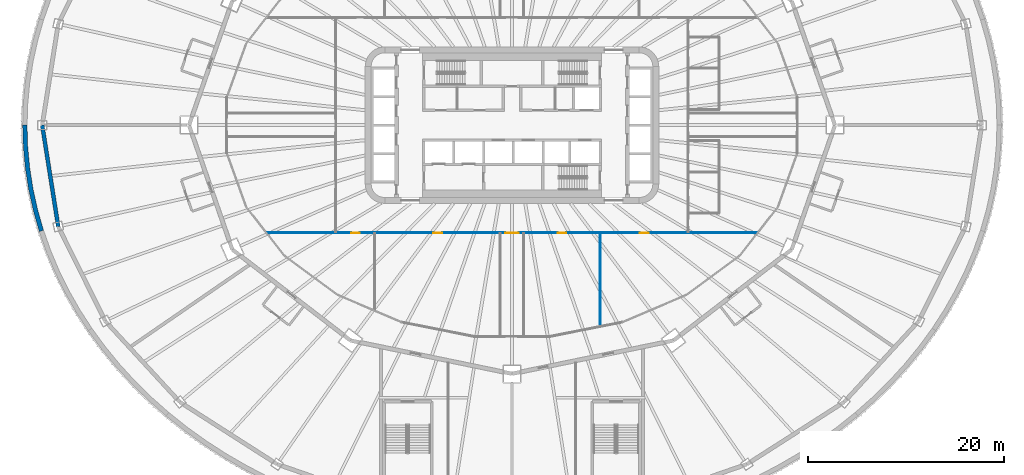
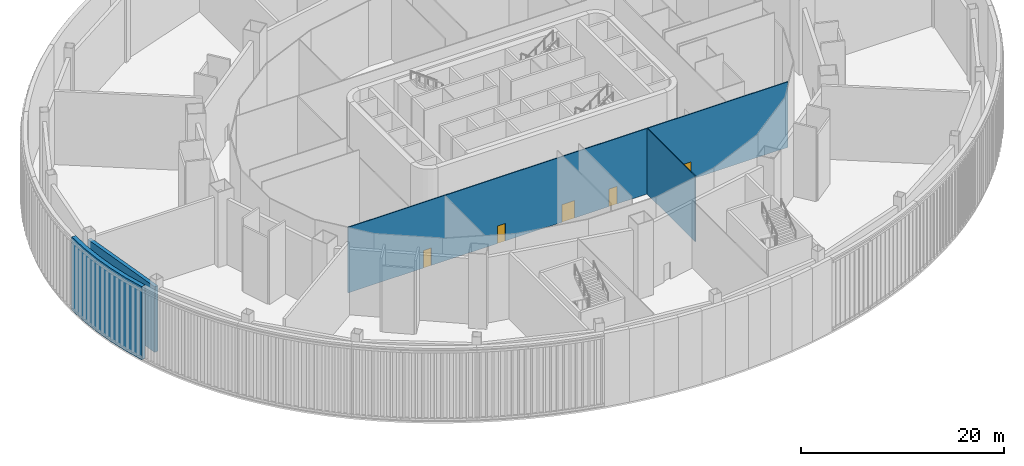
# One storey, part 7 of 35: 5 doors, 4 walls, 5 openings.
"""IFC4 building model written with IfcOpenShell, lengths in metres."""

import ifcopenshell
import ifcopenshell.guid

model = None  # the IFC model being written
_history = None  # IfcOwnerHistory: only IFC2X3 demands one
_inside = {}  # id of a spatial element -> (the spatial element, [elements in it])
_under = {}  # id of a project, library or spatial element -> (it, [spatial elements below it])
_declared = {}  # id of a project -> (the project, [libraries it declares])
_typed = {}  # id of a type object -> (the type object, [elements of that type])
_made_of = {}  # id of a material, layer set ... -> (it, [elements and type objects made of it])


def new_model(schema):
    """Start an empty IFC model of exactly this schema.

    Asked for "IFC4X3", IfcOpenShell would pick the latest addendum, in which some entities
    have other attributes; the version numbers below select the first issue.
    IFC2X3 requires an IfcOwnerHistory on every rooted entity: one is made here for all.
    """
    global model, _history
    if schema == "IFC4X3":
        model = ifcopenshell.file(schema_version=(4, 3, 0, 0))
    else:
        model = ifcopenshell.file(schema=schema)
    _inside.clear()
    _under.clear()
    _declared.clear()
    _typed.clear()
    _made_of.clear()
    _history = None
    if model.schema == "IFC2X3":
        org = make("IfcOrganization", Name="unknown")
        user = make(
            "IfcPersonAndOrganization",
            ThePerson=make("IfcPerson", FamilyName="unknown"),
            TheOrganization=org,
        )
        app = make(
            "IfcApplication",
            ApplicationDeveloper=org,
            Version="unknown",
            ApplicationFullName="unknown",
            ApplicationIdentifier="unknown",
        )
        _history = make(
            "IfcOwnerHistory",
            OwningUser=user,
            OwningApplication=app,
            ChangeAction="ADDED",
            CreationDate=0,
        )
    return model


def make(cls, **values):
    """One entity of the class cls with the attributes given. An attribute that is None is left unset."""
    return model.create_entity(
        cls, **{name: value for name, value in values.items() if value is not None}
    )


def rooted(cls, **values):
    """An entity with a GlobalId (a new one), such as an element, a storey or a relation."""
    return make(cls, GlobalId=ifcopenshell.guid.new(), OwnerHistory=_history, **values)


def si_unit(unit_type, name, prefix=None):
    """IfcSIUnit, for example si_unit("LENGTHUNIT", "METRE", prefix="MILLI")."""
    return make("IfcSIUnit", UnitType=unit_type, Prefix=prefix, Name=name)


def assignment(units):
    """IfcUnitAssignment: the units of a project."""
    return None if units is None else make("IfcUnitAssignment", Units=units)


def point(xyz):
    """IfcCartesianPoint."""
    return None if xyz is None else make("IfcCartesianPoint", Coordinates=xyz)


def direction(xyz):
    """IfcDirection."""
    return None if xyz is None else make("IfcDirection", DirectionRatios=xyz)


def frame(location, z_axis=None, x_axis=None):
    """IfcAxis2Placement3D, a coordinate frame: its origin and axes. An axis left out is left unset."""
    return make(
        "IfcAxis2Placement3D",
        Location=point(location),
        Axis=direction(z_axis),
        RefDirection=direction(x_axis),
    )


def frame_2d(location, x_axis=None):
    """IfcAxis2Placement2D, a coordinate frame in the plane: its origin and x axis."""
    return make(
        "IfcAxis2Placement2D", Location=point(location), RefDirection=direction(x_axis)
    )


def origin():
    """The frame at (0, 0, 0) with its axes left unset."""
    return frame((0.0, 0.0, 0.0))


def place(relative_to, where):
    """IfcLocalPlacement: puts the frame where relative to a parent placement (None: the world)."""
    return make(
        "IfcLocalPlacement", PlacementRelTo=relative_to, RelativePlacement=where
    )


def context(
    kind, dimensions, precision=None, world=None, true_north=None, identifier=None
):
    """IfcGeometricRepresentationContext, for example the 3D "Model" context."""
    return make(
        "IfcGeometricRepresentationContext",
        ContextIdentifier=identifier,
        ContextType=kind,
        CoordinateSpaceDimension=dimensions,
        Precision=precision,
        WorldCoordinateSystem=world,
        TrueNorth=true_north,
    )


def subcontext(parent, identifier, kind, view, scale=None):
    """IfcGeometricRepresentationSubContext, for example "Body" below "Model"."""
    return make(
        "IfcGeometricRepresentationSubContext",
        ContextIdentifier=identifier,
        ContextType=kind,
        ParentContext=parent,
        TargetScale=scale,
        TargetView=view,
    )


def project(units=None, contexts=None):
    """IfcProject with its units and contexts."""
    return rooted(
        "IfcProject",
        Name="project",
        RepresentationContexts=contexts,
        UnitsInContext=assignment(units),
    )


def spatial(cls, under=None, at=None, **own):
    """A site, building, storey or space (cls), placed at a placement, below another one or the project."""
    s = rooted(cls, ObjectPlacement=at, **own)
    if under is not None:
        _under.setdefault(under.id(), (under, []))[1].append(s)
    return s


def polyline(points):
    """IfcPolyline through the points."""
    return make("IfcPolyline", Points=[point(p) for p in points])


def profile(cls, at=None, kind="AREA", **sizes):
    """A parametric profile (cls). Its sizes go by their IFC names, for example OverallWidth=200.0."""
    return make(cls, ProfileType=kind, Position=at, **sizes)


def rectangle(**sizes):
    """IfcRectangleProfileDef."""
    return profile("IfcRectangleProfileDef", **sizes)


def outline(outer, holes=None, kind="AREA"):
    """IfcArbitraryClosedProfileDef: a profile drawn as a closed curve; with holes, ...WithVoids."""
    if holes is None:
        return make("IfcArbitraryClosedProfileDef", ProfileType=kind, OuterCurve=outer)
    return make(
        "IfcArbitraryProfileDefWithVoids",
        ProfileType=kind,
        OuterCurve=outer,
        InnerCurves=holes,
    )


def extrude(swept, where, along, depth):
    """IfcExtrudedAreaSolid: the profile swept, set in the frame where, extruded along a direction by depth."""
    return make(
        "IfcExtrudedAreaSolid",
        SweptArea=swept,
        Position=where,
        ExtrudedDirection=direction(along),
        Depth=depth,
    )


def shape(context_of_items, identifier, shape_type, items):
    """IfcShapeRepresentation: the items that make up one representation, for example the "Body"."""
    return make(
        "IfcShapeRepresentation",
        ContextOfItems=context_of_items,
        RepresentationIdentifier=identifier,
        RepresentationType=shape_type,
        Items=items,
    )


def material(Name=None, Category=None):
    """IfcMaterial."""
    return make("IfcMaterial", Name=Name, Category=Category)


def layer(
    of_material, thickness, ventilated=None, Name=None, Category=None, Priority=None
):
    """IfcMaterialLayer: one layer of a wall or slab, of a material (None: an air gap)."""
    return make(
        "IfcMaterialLayer",
        Material=of_material,
        LayerThickness=thickness,
        IsVentilated=ventilated,
        Name=Name,
        Category=Category,
        Priority=Priority,
    )


def layer_set(layers, Name=None):
    """IfcMaterialLayerSet."""
    return make("IfcMaterialLayerSet", MaterialLayers=layers, LayerSetName=Name)


def made_of(thing, what):
    """Note that an element or type object is made of a material, layer set ...; save() writes the relation."""
    if what is not None:
        _made_of.setdefault(what.id(), (what, []))[1].append(thing)
    return thing


def type_object(cls, material=None, **own):
    """A type object (cls), such as IfcWallType, which elements share."""
    return made_of(rooted(cls, **own), material)


def element(
    cls,
    number,
    at=None,
    inside=None,
    cuts=None,
    type_object=None,
    material=None,
    context=None,
    identifier="Body",
    shape_type=None,
    held_by="IfcProductDefinitionShape",
    body=None,
    shapes=None,
    **own,
):
    """One element of the class cls, such as IfcWall. Its Tag is "e" and its number.

    at: its placement. inside: the storey or other place that contains it. cuts: it is an
    opening in that element (IfcRelVoidsElement). A single representation is given by context,
    identifier, shape_type and body (its items); several are given by shapes. held_by: the class
    of the entity that holds the representations. save() writes the other relations.
    """
    e = rooted(cls, Tag="e%d" % number, ObjectPlacement=at, **own)
    if body is not None:
        shapes = [shape(context, identifier, shape_type, body)]
    if shapes is not None:
        e.Representation = make(held_by, Representations=shapes)
    if inside is not None:
        _inside.setdefault(inside.id(), (inside, []))[1].append(e)
    if cuts is not None:
        rooted(
            "IfcRelVoidsElement", RelatingBuildingElement=cuts, RelatedOpeningElement=e
        )
    if type_object is not None:
        _typed.setdefault(type_object.id(), (type_object, []))[1].append(e)
    return made_of(e, material)


def fill(opening, filler):
    """IfcRelFillsElement: the door or window that sits in an opening."""
    return rooted(
        "IfcRelFillsElement",
        RelatingOpeningElement=opening,
        RelatedBuildingElement=filler,
    )


def aggregate(whole, parts):
    """IfcRelAggregates: a whole, such as a stair, and the parts it consists of."""
    return rooted("IfcRelAggregates", RelatingObject=whole, RelatedObjects=parts)


def save(model, path):
    """Write the relations noted so far, then the file.

    IfcRelAggregates (storeys below a building ...), IfcRelContainedInSpatialStructure (elements
    in a storey), IfcRelDefinesByType, IfcRelAssociatesMaterial and IfcRelDeclares: one each for
    every whole, place, type object, material and project.
    """
    for whole, parts in _under.values():
        aggregate(whole, parts)
    for where, things in _inside.values():
        rooted(
            "IfcRelContainedInSpatialStructure",
            RelatedElements=things,
            RelatingStructure=where,
        )
    for kind, things in _typed.values():
        rooted("IfcRelDefinesByType", RelatedObjects=things, RelatingType=kind)
    for what, things in _made_of.values():
        rooted("IfcRelAssociatesMaterial", RelatedObjects=things, RelatingMaterial=what)
    for by, libraries in _declared.values():
        rooted("IfcRelDeclares", RelatingContext=by, RelatedDefinitions=libraries)
    model.write(path)


model = new_model("IFC4")

# Units and contexts
model_context = context("Model", 3, precision=1e-05, world=origin(), true_north=direction((0.0, 1.0)))
body_context = subcontext(model_context, "Body", "Model", "MODEL_VIEW")
ifc_project = project(units=[si_unit("LENGTHUNIT", "METRE"), si_unit("AREAUNIT", "SQUARE_METRE"), si_unit("VOLUMEUNIT", "CUBIC_METRE"), si_unit("PLANEANGLEUNIT", "RADIAN"), si_unit("MASSUNIT", "GRAM", prefix="KILO")], contexts=[model_context])

# Site, building, storey
site_placement = place(None, origin())
site = spatial("IfcSite", under=ifc_project, at=site_placement, CompositionType="ELEMENT")
building_placement = place(site_placement, origin())
building = spatial("IfcBuilding", under=site, at=building_placement, Name="Sahrelin Media Tower", CompositionType="ELEMENT")
storey_placement = place(building_placement, frame((0.0, 0.0, 8.0)))
storey = spatial("IfcBuildingStorey", under=building, at=storey_placement, Name="L01", CompositionType="ELEMENT", Elevation=8.0)

# Wall
ifc_material_1 = material(Name="Fire-rated gypsum board partition")
ifc_layer_1 = layer(ifc_material_1, 0.39990234375)
ifc_layer_set_1 = layer_set([ifc_layer_1], Name="Fire-rated partition 400")
wall_type_1 = type_object("IfcWallType", Name="Fire-rated partition 400", PredefinedType="PARTITIONING", material=ifc_layer_set_1)
wall_1_placement = place(storey_placement, frame((-48.0, 0.0, 0.0), z_axis=(0.0, 0.0, 1.0), x_axis=(0.156041518224, -0.987750497135, 0.0)))
element("IfcWall", 1, at=wall_1_placement, inside=storey, type_object=wall_type_1, Name="Wall", PredefinedType="PARTITIONING", context=body_context, shape_type="SweptSolid", body=[
    extrude(rectangle(XDim=10.481201171875, YDim=0.39990234375, at=frame_2d((5.24072265625, 0.0))), origin(), (0.0, 0.0, 1.0), 7.876953125),
])

# Wall, openings, doors
ifc_material_2 = material(Name="Gypsum board partition")
ifc_layer_2 = layer(ifc_material_2, 0.10009765625)
ifc_layer_set_2 = layer_set([ifc_layer_2], Name="Partition 100")
wall_type_2 = type_object("IfcWallType", Name="Partition 100", PredefinedType="PARTITIONING", material=ifc_layer_set_2)
wall_2_placement = place(storey_placement, frame((-24.990478515625, -11.0, 0.0), z_axis=(0.0, 0.0, 1.0), x_axis=(1.0, 0.0, 0.0)))
wall_2 = element("IfcWall", 2, at=wall_2_placement, inside=storey, type_object=wall_type_2, Name="Wall", PredefinedType="PARTITIONING", context=body_context, shape_type="SweptSolid", body=[
    extrude(rectangle(XDim=49.98095703125, YDim=0.10009765625, at=frame_2d((24.990478515625, 0.0))), origin(), (0.0, 0.0, 1.0), 7.876953125),
])
opening_1_placement = place(wall_2_placement, frame((8.550048828125, 0.0, 0.0)))
opening_1 = element("IfcOpeningElement", 3, at=opening_1_placement, cuts=wall_2, Name="Opening L01-D39", PredefinedType="OPENING", context=body_context, shape_type="SweptSolid", body=[
    extrude(rectangle(XDim=0.89990234375, YDim=2.10009765625, at=frame_2d((0.449951171875, 1.050048828125))), frame((0.0, 0.050048828125, 0.0), z_axis=(0.0, -1.0, 0.0), x_axis=(1.0, 0.0, 0.0)), (0.0, 0.0, 1.0), 0.10009765625),
])
opening_2_placement = place(wall_2_placement, frame((16.949951171875, 0.0, 0.0)))
opening_2 = element("IfcOpeningElement", 4, at=opening_2_placement, cuts=wall_2, Name="Opening L01-D40", PredefinedType="OPENING", context=body_context, shape_type="SweptSolid", body=[
    extrude(rectangle(XDim=0.89990234375, YDim=2.10009765625, at=frame_2d((0.449951171875, 1.050048828125))), frame((0.0, 0.050048828125, 0.0), z_axis=(0.0, -1.0, 0.0), x_axis=(1.0, 0.0, 0.0)), (0.0, 0.0, 1.0), 0.10009765625),
])
opening_3_placement = place(wall_2_placement, frame((24.300048828125, 0.0, 0.0)))
opening_3 = element("IfcOpeningElement", 5, at=opening_3_placement, cuts=wall_2, Name="Opening L01-D41", PredefinedType="OPENING", context=body_context, shape_type="SweptSolid", body=[
    extrude(rectangle(XDim=1.39990234375, YDim=2.10009765625, at=frame_2d((0.699951171875, 1.050048828125))), frame((0.0, 0.050048828125, 0.0), z_axis=(0.0, -1.0, 0.0), x_axis=(1.0, 0.0, 0.0)), (0.0, 0.0, 1.0), 0.10009765625),
])
opening_4_placement = place(wall_2_placement, frame((29.64990234375, 0.0, 0.0)))
opening_4 = element("IfcOpeningElement", 6, at=opening_4_placement, cuts=wall_2, Name="Opening L01-D43", PredefinedType="OPENING", context=body_context, shape_type="SweptSolid", body=[
    extrude(rectangle(XDim=0.89990234375, YDim=2.10009765625, at=frame_2d((0.449951171875, 1.050048828125))), frame((0.0, 0.050048828125, 0.0), z_axis=(0.0, -1.0, 0.0), x_axis=(1.0, 0.0, 0.0)), (0.0, 0.0, 1.0), 0.10009765625),
])
opening_5_placement = place(wall_2_placement, frame((38.050048828125, 0.0, 0.0)))
opening_5 = element("IfcOpeningElement", 7, at=opening_5_placement, cuts=wall_2, Name="Opening L01-D44", PredefinedType="OPENING", context=body_context, shape_type="SweptSolid", body=[
    extrude(rectangle(XDim=0.89990234375, YDim=2.10009765625, at=frame_2d((0.449951171875, 1.050048828125))), frame((0.0, 0.050048828125, 0.0), z_axis=(0.0, -1.0, 0.0), x_axis=(1.0, 0.0, 0.0)), (0.0, 0.0, 1.0), 0.10009765625),
])
ifc_material_3 = material(Name="Timber door leaf", Category="wood")
door_type_1 = type_object("IfcDoorType", Name="Single door 1400 x 2100", OperationType="NOTDEFINED", PredefinedType="DOOR", material=ifc_material_3)
door_1_placement = place(opening_3_placement, origin())
door_1 = element("IfcDoor", 8, at=door_1_placement, inside=storey, type_object=door_type_1, Name="Single door", OperationType="SINGLE_SWING_RIGHT", OverallHeight=2.10009765625, OverallWidth=1.39990234375, PredefinedType="DOOR", context=body_context, shape_type="SweptSolid", body=[
    extrude(rectangle(XDim=1.39990234375, YDim=2.10009765625, at=frame_2d((0.699951171875, 1.050048828125))), frame((0.0, 0.02490234375, 0.0), z_axis=(0.0, -1.0, 0.0), x_axis=(1.0, 0.0, 0.0)), (0.0, 0.0, 1.0), 0.050048828125),
])
fill(opening_3, door_1)
door_type_2 = type_object("IfcDoorType", Name="Single door 900 x 2100", OperationType="NOTDEFINED", PredefinedType="DOOR", material=ifc_material_3)
door_2_placement = place(opening_1_placement, origin())
door_2 = element("IfcDoor", 9, at=door_2_placement, inside=storey, type_object=door_type_2, Name="Single door", OperationType="SINGLE_SWING_LEFT", OverallHeight=2.10009765625, OverallWidth=0.89990234375, PredefinedType="DOOR", context=body_context, shape_type="SweptSolid", body=[
    extrude(rectangle(XDim=0.89990234375, YDim=2.10009765625, at=frame_2d((0.449951171875, 1.050048828125))), frame((0.0, 0.02490234375, 0.0), z_axis=(0.0, -1.0, 0.0), x_axis=(1.0, 0.0, 0.0)), (0.0, 0.0, 1.0), 0.050048828125),
])
fill(opening_1, door_2)
door_3_placement = place(opening_2_placement, origin())
door_3 = element("IfcDoor", 10, at=door_3_placement, inside=storey, type_object=door_type_2, Name="Single door", OperationType="SINGLE_SWING_LEFT", OverallHeight=2.10009765625, OverallWidth=0.89990234375, PredefinedType="DOOR", context=body_context, shape_type="SweptSolid", body=[
    extrude(rectangle(XDim=0.89990234375, YDim=2.10009765625, at=frame_2d((0.449951171875, 1.050048828125))), frame((0.0, 0.02490234375, 0.0), z_axis=(0.0, -1.0, 0.0), x_axis=(1.0, 0.0, 0.0)), (0.0, 0.0, 1.0), 0.050048828125),
])
fill(opening_2, door_3)
door_4_placement = place(opening_4_placement, origin())
door_4 = element("IfcDoor", 11, at=door_4_placement, inside=storey, type_object=door_type_2, Name="Single door", OperationType="SINGLE_SWING_RIGHT", OverallHeight=2.10009765625, OverallWidth=0.89990234375, PredefinedType="DOOR", context=body_context, shape_type="SweptSolid", body=[
    extrude(rectangle(XDim=0.89990234375, YDim=2.10009765625, at=frame_2d((0.449951171875, 1.050048828125))), frame((0.0, 0.02490234375, 0.0), z_axis=(0.0, -1.0, 0.0), x_axis=(1.0, 0.0, 0.0)), (0.0, 0.0, 1.0), 0.050048828125),
])
fill(opening_4, door_4)
door_5_placement = place(opening_5_placement, origin())
door_5 = element("IfcDoor", 12, at=door_5_placement, inside=storey, type_object=door_type_2, Name="Single door", OperationType="SINGLE_SWING_RIGHT", OverallHeight=2.10009765625, OverallWidth=0.89990234375, PredefinedType="DOOR", context=body_context, shape_type="SweptSolid", body=[
    extrude(rectangle(XDim=0.89990234375, YDim=2.10009765625, at=frame_2d((0.449951171875, 1.050048828125))), frame((0.0, 0.02490234375, 0.0), z_axis=(0.0, -1.0, 0.0), x_axis=(1.0, 0.0, 0.0)), (0.0, 0.0, 1.0), 0.050048828125),
])
fill(opening_5, door_5)

# Walls
wall_3_placement = place(storey_placement, frame((9.0, -11.050048828125, 0.0), z_axis=(0.0, 0.0, 1.0), x_axis=(0.0, -1.0, 0.0)))
element("IfcWall", 13, at=wall_3_placement, inside=storey, type_object=wall_type_2, Name="Wall", PredefinedType="PARTITIONING", context=body_context, shape_type="SweptSolid", body=[
    extrude(rectangle(XDim=9.476806640625, YDim=0.10009765625, at=frame_2d((4.73828125, 0.0))), origin(), (0.0, 0.0, 1.0), 7.876953125),
])
ifc_material_4 = material(Name="Concrete C40/50", Category="concrete")
ifc_layer_3 = layer(ifc_material_4, 0.449951171875)
ifc_layer_set_3 = layer_set([ifc_layer_3], Name="Studio facade wall")
wall_type_3 = type_object("IfcWallType", Name="Studio facade wall", PredefinedType="SOLIDWALL", material=ifc_layer_set_3)
wall_4_placement = place(storey_placement, origin())
element("IfcWall", 14, at=wall_4_placement, inside=storey, type_object=wall_type_3, Name="Studio facade wall L01-P12", PredefinedType="SOLIDWALL", context=body_context, shape_type="SweptSolid", body=[
    extrude(outline(polyline([(-50.0, 0.0), (-49.931396484375, -2.197998046875), (-49.72607421875, -4.39013671875), (-49.384521484375, -6.5703125), (-48.907470703125, -8.732421875), (-48.29638671875, -10.870361328125), (-47.86767578125, -10.733642578125), (-48.47119140625, -8.621826171875), (-48.942138671875, -6.48681640625), (-49.279541015625, -4.334228515625), (-49.482421875, -2.170166015625), (-49.550048828125, 0.0), (-50.0, 0.0)])), origin(), (0.0, 0.0, 1.0), 8.800048828125),
])

save(model, "model.ifc")
